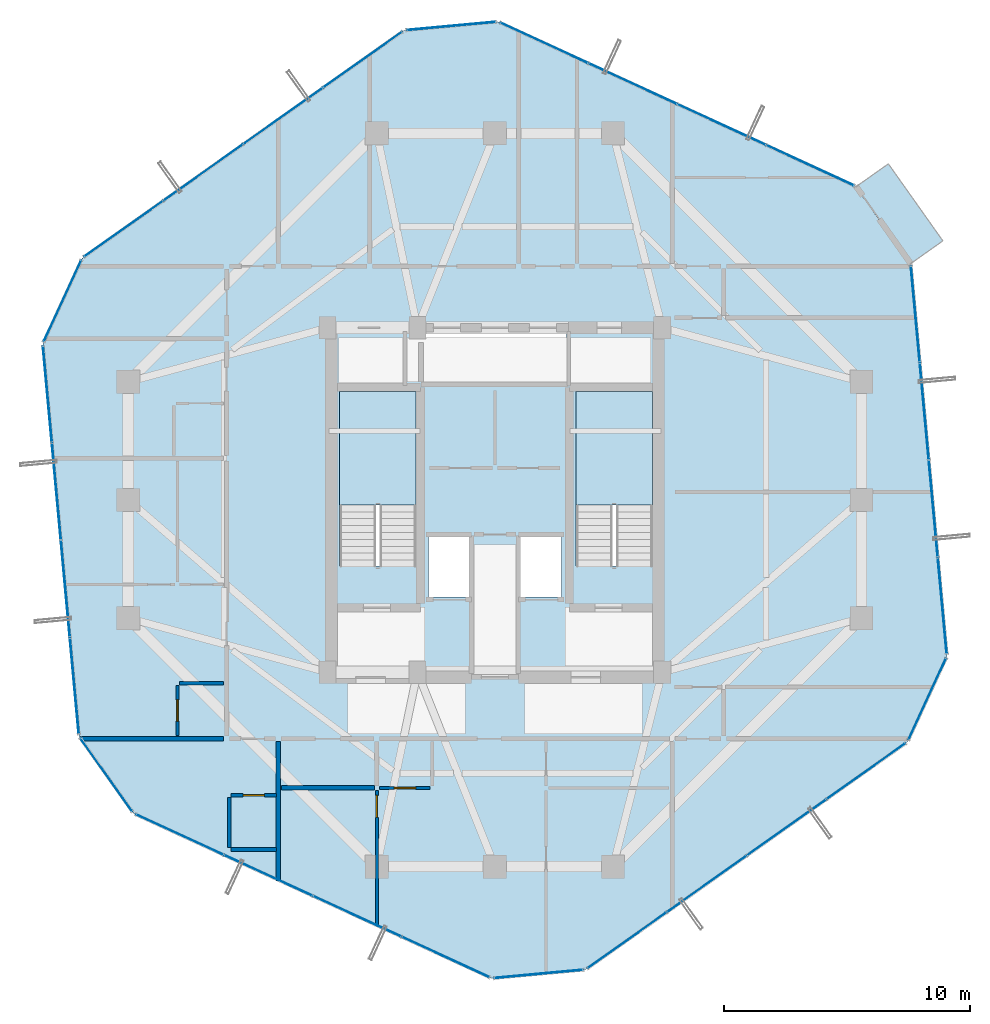
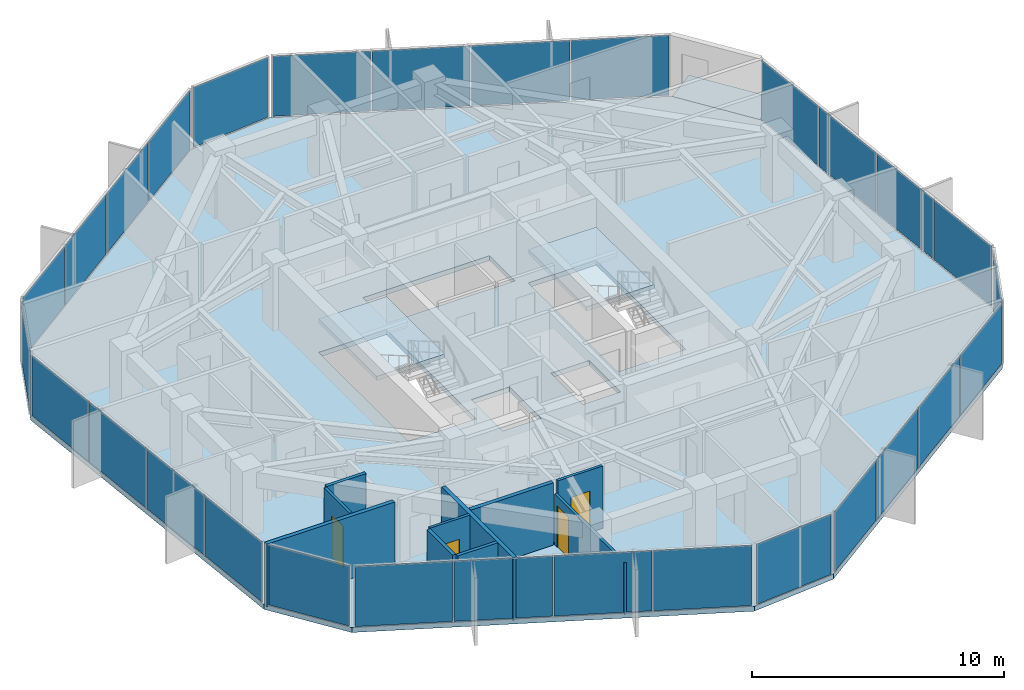
# One storey, part 27 of 32: 29 plates, 10 walls, 4 doors, 4 slabs, 4 openings, 13 elements without a shape of their own.
"""IFC4 building model written with IfcOpenShell, lengths in metres."""

from ifc_helpers import new_model, si_unit, direction, frame, frame_2d, origin, origin_2d, place, context, subcontext, project, spatial, polyline, rectangle, outline, extrude, source, transform, mapped, material, layer, layer_set, type_object, element, fill, aggregate, save


model = new_model("IFC4")

# Units and contexts
model_context = context("Model", 3, precision=1e-05, world=origin(), true_north=direction((0.0, 1.0)))
body_context = subcontext(model_context, "Body", "Model", "MODEL_VIEW")
ifc_project = project(units=[si_unit("LENGTHUNIT", "METRE"), si_unit("AREAUNIT", "SQUARE_METRE"), si_unit("VOLUMEUNIT", "CUBIC_METRE"), si_unit("PLANEANGLEUNIT", "RADIAN"), si_unit("MASSUNIT", "GRAM", prefix="KILO")], contexts=[model_context])

# Site, building, storey
site_placement = place(None, origin())
site = spatial("IfcSite", under=ifc_project, at=site_placement, CompositionType="ELEMENT")
building_placement = place(site_placement, origin())
building = spatial("IfcBuilding", under=site, at=building_placement, Name="Veraguas Prism Commons", CompositionType="ELEMENT")
storey_placement = place(building_placement, frame((0.0, 0.0, 188.60009765625)))
storey = spatial("IfcBuildingStorey", under=building, at=storey_placement, Name="L53", CompositionType="ELEMENT", Elevation=188.60009765625)

# Stair, slab
ifc_material_1 = material(Name="Precast concrete C45/55", Category="concrete")
stair_type = type_object("IfcStairType", Name="Dogleg Core Stair 1480W 20R 05", PredefinedType="HALF_TURN_STAIR", material=ifc_material_1)
stair_1_placement = place(storey_placement, origin())
stair_1 = element("IfcStair", 1, at=stair_1_placement, inside=storey, type_object=stair_type, Name="Protected Exit Stair ST-01 L53", PredefinedType="HALF_TURN_STAIR")
ifc_layer_1 = layer(ifc_material_1, 0.199951171875, Name="Precast Stair and Ramp Landing Slab 200", Category="concrete")
ifc_layer_set_1 = layer_set([ifc_layer_1], Name="Precast concrete C45/55")
slab_type_1 = type_object("IfcSlabType", Name="Precast Stair and Ramp Landing Slab 200", PredefinedType="LANDING", material=ifc_layer_set_1)
slab_1_placement = place(storey_placement, frame((0.0, 0.0, 1.4248046875)))
slab_1 = element("IfcSlab", 2, at=slab_1_placement, type_object=slab_type_1, Name="ST-05 Landing 1", PredefinedType="LANDING", context=body_context, shape_type="SweptSolid", body=[
    extrude(outline(polyline([(20.800048828125, 23.800048828125), (20.800048828125, 28.39990234375), (17.68994140625, 28.39990234375), (17.68994140625, 23.800048828125), (20.800048828125, 23.800048828125)])), origin(), (0.0, 0.0, 1.0), 0.2001953125),
])
aggregate(stair_1, [slab_1])

stair_2_placement = place(storey_placement, origin())
stair_2 = element("IfcStair", 3, at=stair_2_placement, inside=storey, type_object=stair_type, Name="Protected Exit Stair ST-02 L53", PredefinedType="HALF_TURN_STAIR")
slab_2_placement = place(storey_placement, frame((0.0, 0.0, 1.4248046875)))
slab_2 = element("IfcSlab", 4, at=slab_2_placement, type_object=slab_type_1, Name="ST-05 Landing 1", PredefinedType="LANDING", context=body_context, shape_type="SweptSolid", body=[
    extrude(outline(polyline([(30.39990234375, 23.800048828125), (30.39990234375, 28.39990234375), (27.2900390625, 28.39990234375), (27.2900390625, 23.800048828125), (30.39990234375, 23.800048828125)])), origin(), (0.0, 0.0, 1.0), 0.2001953125),
])
aggregate(stair_2, [slab_2])

# Slabs
ifc_material_2 = material(Name="Concrete C45/55", Category="concrete")
ifc_layer_2 = layer(ifc_material_2, 0.219970703125, Name="Recessed Loggia and Terrace Slab RC 220", Category="concrete")
ifc_layer_set_2 = layer_set([ifc_layer_2], Name="Concrete C45/55")
slab_type_2 = type_object("IfcSlabType", Name="Recessed Loggia and Terrace Slab RC 220", PredefinedType="FLOOR", material=ifc_layer_set_2)
slab_3_placement = place(storey_placement, frame((0.0, 0.0, -0.22021484375)))
element("IfcSlab", 5, at=slab_3_placement, inside=storey, type_object=slab_type_2, Name="Recessed Corner Loggia L53-C1", PredefinedType="FLOOR", context=body_context, shape_type="SweptSolid", body=[
    extrude(outline(polyline([(40.881591796875, 33.595458984375), (42.2041015625, 34.531005859375), (39.9892578125, 37.6611328125), (38.6669921875, 36.7255859375), (40.881591796875, 33.595458984375)])), origin(), (0.0, 0.0, 1.0), 0.22021484375),
])
ifc_layer_3 = layer(ifc_material_2, 0.235107421875, Name="Tower Upper Residential Floor Slab RC 235", Category="concrete")
ifc_layer_set_3 = layer_set([ifc_layer_3], Name="Concrete C45/55")
slab_type_3 = type_object("IfcSlabType", Name="Tower Upper Residential Floor Slab RC 235", PredefinedType="FLOOR", material=ifc_layer_set_3)
slab_4_placement = place(storey_placement, frame((0.0, 0.0, -0.235107421875)))
element("IfcSlab", 6, at=slab_4_placement, inside=storey, type_object=slab_type_3, Name="Tower Floor Slab L53", PredefinedType="FLOOR", context=body_context, shape_type="SweptSolid", body=[
    extrude(outline(polyline([(40.89794921875, 33.60693359375), (38.68310546875, 36.737060546875), (24.12890625, 43.4375), (20.310791015625, 43.084716796875), (7.231201171875, 33.83056640625), (5.627685546875, 30.347412109375), (7.10205078125, 14.39306640625), (9.31689453125, 11.262939453125), (23.87109375, 4.5625), (27.689208984375, 4.915283203125), (40.768798828125, 14.16943359375), (42.372314453125, 17.652587890625), (40.89794921875, 33.60693359375)]), holes=[polyline([(20.800048828125, 21.31005859375), (20.800048828125, 28.39990234375), (17.68994140625, 28.39990234375), (17.68994140625, 21.31005859375), (20.800048828125, 21.31005859375)]), polyline([(30.39990234375, 21.31005859375), (30.39990234375, 28.39990234375), (27.2900390625, 28.39990234375), (27.2900390625, 21.31005859375), (30.39990234375, 21.31005859375)]), polyline([(21.10009765625, 28.800048828125), (26.89990234375, 28.800048828125), (26.89990234375, 30.800048828125), (21.10009765625, 30.800048828125), (21.10009765625, 28.800048828125)]), polyline([(21.300048828125, 20.050048828125), (23.050048828125, 20.050048828125), (23.050048828125, 22.550048828125), (21.300048828125, 22.550048828125), (21.300048828125, 20.050048828125)]), polyline([(24.949951171875, 20.050048828125), (26.699951171875, 20.050048828125), (26.699951171875, 22.550048828125), (24.949951171875, 22.550048828125), (24.949951171875, 20.050048828125)])]), origin(), (0.0, 0.0, 1.0), 0.235107421875),
])

# Curtain wall, plates
ifc_material_3 = material(Name="Anodised aluminium EN AW-6063 T6", Category="aluminium")
ifc_layer_4 = layer(ifc_material_3, 0.14990234375, Name="Unitised Flush Curtain Wall Zone 3", Category="aluminium")
ifc_layer_set_4 = layer_set([ifc_layer_4], Name="Anodised aluminium EN AW-6063 T6")
curtain_wall_type = type_object("IfcCurtainWallType", Name="Unitised Flush Curtain Wall Zone 3", PredefinedType="NOTDEFINED", material=ifc_layer_set_4)
curtain_wall_1_placement = place(storey_placement, origin())
curtain_wall_1 = element("IfcCurtainWall", 7, at=curtain_wall_1_placement, inside=storey, type_object=curtain_wall_type, Name="Tower Facade Curtain Wall L53-F2", PredefinedType="NOTDEFINED")
ifc_material_4 = material(Name="Laminated low-e glass", Category="glass")
ifc_layer_5 = layer(ifc_material_4, 0.028076171875, Name="Unitised Double Low-E Glazed Panel 28", Category="glass")
ifc_layer_set_5 = layer_set([ifc_layer_5], Name="Laminated low-e glass")
plate_type = type_object("IfcPlateType", Name="Unitised Double Low-E Glazed Panel 28", PredefinedType="CURTAIN_PANEL", material=ifc_layer_set_5)
shared_shape_1 = source(origin(), body_context, "Body", "SweptSolid", [
    extrude(rectangle(XDim=3.885498046875, YDim=0.028076171875, at=origin_2d()), origin(), (0.0, 0.0, 1.0), 2.905029296875),
])
plate_1_placement = place(storey_placement, frame((18.626953125, 41.89306640625, 0.0546875), z_axis=(0.0, 0.0, 1.0), x_axis=(-0.816341266821, -0.577569853857, 0.0)))
plate_1 = element("IfcPlate", 8, at=plate_1_placement, type_object=plate_type, Name="CW-Z3 Panel 1.1", PredefinedType="CURTAIN_PANEL", context=body_context, shape_type="MappedRepresentation", body=[
    mapped(shared_shape_1, transform((0.0, 0.0, 0.0), scale=1.0)),
])
plate_2_placement = place(storey_placement, frame((8.9150390625, 35.02197265625, 0.0546875), z_axis=(0.0, 0.0, 1.0), x_axis=(-0.816341266821, -0.577569853857, 0.0)))
plate_2 = element("IfcPlate", 9, at=plate_2_placement, type_object=plate_type, Name="CW-Z3 Panel 4.1", PredefinedType="CURTAIN_PANEL", context=body_context, shape_type="MappedRepresentation", body=[
    mapped(shared_shape_1, transform((0.0, 0.0, 0.0), scale=1.0)),
])

curtain_wall_2_placement = place(storey_placement, origin())
curtain_wall_2 = element("IfcCurtainWall", 10, at=curtain_wall_2_placement, inside=storey, type_object=curtain_wall_type, Name="Tower Facade Curtain Wall L53-F5", PredefinedType="NOTDEFINED")
plate_3_placement = place(storey_placement, frame((29.373046875, 6.10693359375, 0.0546875), z_axis=(0.0, 0.0, 1.0), x_axis=(0.816341266821, 0.577569853857, 0.0)))
plate_3 = element("IfcPlate", 11, at=plate_3_placement, type_object=plate_type, Name="CW-Z3 Panel 1.1", PredefinedType="CURTAIN_PANEL", context=body_context, shape_type="MappedRepresentation", body=[
    mapped(shared_shape_1, transform((0.0, 0.0, 0.0), scale=1.0)),
])
plate_4_placement = place(storey_placement, frame((39.0849609375, 12.97802734375, 0.0546875), z_axis=(0.0, 0.0, 1.0), x_axis=(0.816341266821, 0.577569853857, 0.0)))
plate_4 = element("IfcPlate", 12, at=plate_4_placement, type_object=plate_type, Name="CW-Z3 Panel 4.1", PredefinedType="CURTAIN_PANEL", context=body_context, shape_type="MappedRepresentation", body=[
    mapped(shared_shape_1, transform((0.0, 0.0, 0.0), scale=1.0)),
])

curtain_wall_3_placement = place(storey_placement, origin())
curtain_wall_3 = element("IfcCurtainWall", 13, at=curtain_wall_3_placement, inside=storey, type_object=curtain_wall_type, Name="Tower Facade Curtain Wall L53-F1", PredefinedType="NOTDEFINED")
shared_shape_2 = source(origin(), body_context, "Body", "SweptSolid", [
    extrude(rectangle(XDim=3.91552734375, YDim=0.028076171875, at=origin_2d()), origin(), (0.0, 0.0, 1.0), 2.905029296875),
])
plate_5_placement = place(storey_placement, frame((33.211669921875, 39.256103515625, 0.0546875), z_axis=(0.0, 0.0, 1.0), x_axis=(-0.908361529184, 0.418185762907, 0.0)))
plate_5 = element("IfcPlate", 14, at=plate_5_placement, type_object=plate_type, Name="CW-Z3 Panel 2.1", PredefinedType="CURTAIN_PANEL", context=body_context, shape_type="MappedRepresentation", body=[
    mapped(shared_shape_2, transform((0.0, 0.0, 0.0), scale=1.0)),
])
plate_6_placement = place(storey_placement, frame((29.600341796875, 40.91845703125, 0.0546875), z_axis=(0.0, 0.0, 1.0), x_axis=(-0.908361529184, 0.418185762907, 0.0)))
plate_6 = element("IfcPlate", 15, at=plate_6_placement, type_object=plate_type, Name="CW-Z3 Panel 3.1", PredefinedType="CURTAIN_PANEL", context=body_context, shape_type="MappedRepresentation", body=[
    mapped(shared_shape_2, transform((0.0, 0.0, 0.0), scale=1.0)),
])

# Plate
plate_7_placement = place(storey_placement, frame((15.393798828125, 39.605712890625, 0.0546875), z_axis=(0.0, 0.0, 1.0), x_axis=(-0.816341266821, -0.577569853857, 0.0)))
plate_7 = element("IfcPlate", 16, at=plate_7_placement, type_object=plate_type, Name="CW-Z3 Panel 2.1", PredefinedType="CURTAIN_PANEL", context=body_context, shape_type="MappedRepresentation", body=[
    mapped(shared_shape_2, transform((0.0, 0.0, 0.0), scale=1.0)),
])

plate_8_placement = place(storey_placement, frame((12.1484375, 37.3095703125, 0.0546875), z_axis=(0.0, 0.0, 1.0), x_axis=(-0.816341266821, -0.577569853857, 0.0)))
plate_8 = element("IfcPlate", 17, at=plate_8_placement, type_object=plate_type, Name="CW-Z3 Panel 3.1", PredefinedType="CURTAIN_PANEL", context=body_context, shape_type="MappedRepresentation", body=[
    mapped(shared_shape_2, transform((0.0, 0.0, 0.0), scale=1.0)),
])

aggregate(curtain_wall_1, [plate_1, plate_7, plate_8, plate_2])

# Curtain wall, plates
curtain_wall_4_placement = place(storey_placement, origin())
curtain_wall_4 = element("IfcCurtainWall", 18, at=curtain_wall_4_placement, inside=storey, type_object=curtain_wall_type, Name="Tower Facade Curtain Wall L53-F3", PredefinedType="NOTDEFINED")
plate_9_placement = place(storey_placement, frame((6.181884765625, 24.349609375, 0.0546875), z_axis=(0.0, 0.0, 1.0), x_axis=(0.092023008338, -0.995756880939, 0.0)))
plate_9 = element("IfcPlate", 19, at=plate_9_placement, type_object=plate_type, Name="CW-Z3 Panel 2.1", PredefinedType="CURTAIN_PANEL", context=body_context, shape_type="MappedRepresentation", body=[
    mapped(shared_shape_2, transform((0.0, 0.0, 0.0), scale=1.0)),
])
plate_10_placement = place(storey_placement, frame((6.5478515625, 20.390869140625, 0.0546875), z_axis=(0.0, 0.0, 1.0), x_axis=(0.092023008338, -0.995756880939, 0.0)))
plate_10 = element("IfcPlate", 20, at=plate_10_placement, type_object=plate_type, Name="CW-Z3 Panel 3.1", PredefinedType="CURTAIN_PANEL", context=body_context, shape_type="MappedRepresentation", body=[
    mapped(shared_shape_2, transform((0.0, 0.0, 0.0), scale=1.0)),
])

curtain_wall_5_placement = place(storey_placement, origin())
curtain_wall_5 = element("IfcCurtainWall", 21, at=curtain_wall_5_placement, inside=storey, type_object=curtain_wall_type, Name="Tower Facade Curtain Wall L53-F4", PredefinedType="NOTDEFINED")
plate_11_placement = place(storey_placement, frame((14.788330078125, 8.743896484375, 0.0546875), z_axis=(0.0, 0.0, 1.0), x_axis=(0.908361529184, -0.418185762907, 0.0)))
plate_11 = element("IfcPlate", 22, at=plate_11_placement, type_object=plate_type, Name="CW-Z3 Panel 2.1", PredefinedType="CURTAIN_PANEL", context=body_context, shape_type="MappedRepresentation", body=[
    mapped(shared_shape_2, transform((0.0, 0.0, 0.0), scale=1.0)),
])
plate_12_placement = place(storey_placement, frame((18.399658203125, 7.08154296875, 0.0546875), z_axis=(0.0, 0.0, 1.0), x_axis=(0.908361529184, -0.418185762907, 0.0)))
plate_12 = element("IfcPlate", 23, at=plate_12_placement, type_object=plate_type, Name="CW-Z3 Panel 3.1", PredefinedType="CURTAIN_PANEL", context=body_context, shape_type="MappedRepresentation", body=[
    mapped(shared_shape_2, transform((0.0, 0.0, 0.0), scale=1.0)),
])

# Plate
plate_13_placement = place(storey_placement, frame((32.606201171875, 8.394287109375, 0.0546875), z_axis=(0.0, 0.0, 1.0), x_axis=(0.816341266821, 0.577569853857, 0.0)))
plate_13 = element("IfcPlate", 24, at=plate_13_placement, type_object=plate_type, Name="CW-Z3 Panel 2.1", PredefinedType="CURTAIN_PANEL", context=body_context, shape_type="MappedRepresentation", body=[
    mapped(shared_shape_2, transform((0.0, 0.0, 0.0), scale=1.0)),
])

plate_14_placement = place(storey_placement, frame((35.8515625, 10.6904296875, 0.0546875), z_axis=(0.0, 0.0, 1.0), x_axis=(0.816341266821, 0.577569853857, 0.0)))
plate_14 = element("IfcPlate", 25, at=plate_14_placement, type_object=plate_type, Name="CW-Z3 Panel 3.1", PredefinedType="CURTAIN_PANEL", context=body_context, shape_type="MappedRepresentation", body=[
    mapped(shared_shape_2, transform((0.0, 0.0, 0.0), scale=1.0)),
])

aggregate(curtain_wall_2, [plate_3, plate_13, plate_14, plate_4])

# Curtain wall, plates
curtain_wall_6_placement = place(storey_placement, origin())
curtain_wall_6 = element("IfcCurtainWall", 26, at=curtain_wall_6_placement, inside=storey, type_object=curtain_wall_type, Name="Tower Facade Curtain Wall L53-F6", PredefinedType="NOTDEFINED")
plate_15_placement = place(storey_placement, frame((41.818115234375, 23.650390625, 0.0546875), z_axis=(0.0, 0.0, 1.0), x_axis=(-0.092023008338, 0.995756880939, 0.0)))
plate_15 = element("IfcPlate", 27, at=plate_15_placement, type_object=plate_type, Name="CW-Z3 Panel 2.1", PredefinedType="CURTAIN_PANEL", context=body_context, shape_type="MappedRepresentation", body=[
    mapped(shared_shape_2, transform((0.0, 0.0, 0.0), scale=1.0)),
])
plate_16_placement = place(storey_placement, frame((41.4521484375, 27.609130859375, 0.0546875), z_axis=(0.0, 0.0, 1.0), x_axis=(-0.092023008338, 0.995756880939, 0.0)))
plate_16 = element("IfcPlate", 28, at=plate_16_placement, type_object=plate_type, Name="CW-Z3 Panel 3.1", PredefinedType="CURTAIN_PANEL", context=body_context, shape_type="MappedRepresentation", body=[
    mapped(shared_shape_2, transform((0.0, 0.0, 0.0), scale=1.0)),
])

# Plate
shared_shape_3 = source(origin(), body_context, "Body", "SweptSolid", [
    extrude(rectangle(XDim=3.8857421875, YDim=0.028076171875, at=origin_2d()), origin(), (0.0, 0.0, 1.0), 2.905029296875),
])
plate_17_placement = place(storey_placement, frame((36.809326171875, 37.599853515625, 0.0546875), z_axis=(0.0, 0.0, 1.0), x_axis=(-0.908361529184, 0.418185762907, 0.0)))
plate_17 = element("IfcPlate", 29, at=plate_17_placement, type_object=plate_type, Name="CW-Z3 Panel 1.1", PredefinedType="CURTAIN_PANEL", context=body_context, shape_type="MappedRepresentation", body=[
    mapped(shared_shape_3, transform((0.0, 0.0, 0.0), scale=1.0)),
])

plate_18_placement = place(storey_placement, frame((26.002685546875, 42.574951171875, 0.0546875), z_axis=(0.0, 0.0, 1.0), x_axis=(-0.908361529184, 0.418185762907, 0.0)))
plate_18 = element("IfcPlate", 30, at=plate_18_placement, type_object=plate_type, Name="CW-Z3 Panel 4.1", PredefinedType="CURTAIN_PANEL", context=body_context, shape_type="MappedRepresentation", body=[
    mapped(shared_shape_3, transform((0.0, 0.0, 0.0), scale=1.0)),
])

aggregate(curtain_wall_3, [plate_17, plate_5, plate_6, plate_18])

plate_19_placement = place(storey_placement, frame((5.817626953125, 28.29345703125, 0.0546875), z_axis=(0.0, 0.0, 1.0), x_axis=(0.092023008338, -0.995756880939, 0.0)))
plate_19 = element("IfcPlate", 31, at=plate_19_placement, type_object=plate_type, Name="CW-Z3 Panel 1.1", PredefinedType="CURTAIN_PANEL", context=body_context, shape_type="MappedRepresentation", body=[
    mapped(shared_shape_3, transform((0.0, 0.0, 0.0), scale=1.0)),
])

plate_20_placement = place(storey_placement, frame((6.912353515625, 16.447021484375, 0.0546875), z_axis=(0.0, 0.0, 1.0), x_axis=(0.092023008338, -0.995756880939, 0.0)))
plate_20 = element("IfcPlate", 32, at=plate_20_placement, type_object=plate_type, Name="CW-Z3 Panel 4.1", PredefinedType="CURTAIN_PANEL", context=body_context, shape_type="MappedRepresentation", body=[
    mapped(shared_shape_3, transform((0.0, 0.0, 0.0), scale=1.0)),
])

aggregate(curtain_wall_4, [plate_19, plate_9, plate_10, plate_20])

plate_21_placement = place(storey_placement, frame((11.190673828125, 10.400146484375, 0.0546875), z_axis=(0.0, 0.0, 1.0), x_axis=(0.908361529184, -0.418185762907, 0.0)))
plate_21 = element("IfcPlate", 33, at=plate_21_placement, type_object=plate_type, Name="CW-Z3 Panel 1.1", PredefinedType="CURTAIN_PANEL", context=body_context, shape_type="MappedRepresentation", body=[
    mapped(shared_shape_3, transform((0.0, 0.0, 0.0), scale=1.0)),
])

plate_22_placement = place(storey_placement, frame((21.997314453125, 5.425048828125, 0.0546875), z_axis=(0.0, 0.0, 1.0), x_axis=(0.908361529184, -0.418185762907, 0.0)))
plate_22 = element("IfcPlate", 34, at=plate_22_placement, type_object=plate_type, Name="CW-Z3 Panel 4.1", PredefinedType="CURTAIN_PANEL", context=body_context, shape_type="MappedRepresentation", body=[
    mapped(shared_shape_3, transform((0.0, 0.0, 0.0), scale=1.0)),
])

aggregate(curtain_wall_5, [plate_21, plate_11, plate_12, plate_22])

plate_23_placement = place(storey_placement, frame((42.182373046875, 19.70654296875, 0.0546875), z_axis=(0.0, 0.0, 1.0), x_axis=(-0.092023008338, 0.995756880939, 0.0)))
plate_23 = element("IfcPlate", 35, at=plate_23_placement, type_object=plate_type, Name="CW-Z3 Panel 1.1", PredefinedType="CURTAIN_PANEL", context=body_context, shape_type="MappedRepresentation", body=[
    mapped(shared_shape_3, transform((0.0, 0.0, 0.0), scale=1.0)),
])

plate_24_placement = place(storey_placement, frame((41.087646484375, 31.552978515625, 0.0546875), z_axis=(0.0, 0.0, 1.0), x_axis=(-0.092023008338, 0.995756880939, 0.0)))
plate_24 = element("IfcPlate", 36, at=plate_24_placement, type_object=plate_type, Name="CW-Z3 Panel 4.1", PredefinedType="CURTAIN_PANEL", context=body_context, shape_type="MappedRepresentation", body=[
    mapped(shared_shape_3, transform((0.0, 0.0, 0.0), scale=1.0)),
])

aggregate(curtain_wall_6, [plate_23, plate_15, plate_16, plate_24])

# Curtain wall, plate
curtain_wall_7_placement = place(storey_placement, origin())
curtain_wall_7 = element("IfcCurtainWall", 37, at=curtain_wall_7_placement, inside=storey, type_object=curtain_wall_type, Name="Chamfer Curtain Wall L53-C4", PredefinedType="NOTDEFINED")
shared_shape_4 = source(origin(), body_context, "Body", "SweptSolid", [
    extrude(rectangle(XDim=3.59423828125, YDim=0.028076171875, at=origin_2d()), origin(), (0.0, 0.0, 1.0), 2.905029296875),
])
plate_25_placement = place(storey_placement, frame((8.20947265625, 12.827880859375, 0.0546875), z_axis=(0.0, 0.0, 1.0), x_axis=(0.577579827304, -0.816334210413, 0.0)))
plate_25 = element("IfcPlate", 38, at=plate_25_placement, type_object=plate_type, Name="CW-Z3 Panel 1.1", PredefinedType="CURTAIN_PANEL", context=body_context, shape_type="MappedRepresentation", body=[
    mapped(shared_shape_4, transform((0.0, 0.0, 0.0), scale=1.0)),
])
aggregate(curtain_wall_7, [plate_25])

curtain_wall_8_placement = place(storey_placement, origin())
curtain_wall_8 = element("IfcCurtainWall", 39, at=curtain_wall_8_placement, inside=storey, type_object=curtain_wall_type, Name="Chamfer Curtain Wall L53-C2", PredefinedType="NOTDEFINED")
shared_shape_5 = source(origin(), body_context, "Body", "SweptSolid", [
    extrude(rectangle(XDim=3.594482421875, YDim=0.028076171875, at=origin_2d()), origin(), (0.0, 0.0, 1.0), 2.905029296875),
])
plate_26_placement = place(storey_placement, frame((22.219970703125, 43.260986328125, 0.0546875), z_axis=(0.0, 0.0, 1.0), x_axis=(-0.995754792746, -0.092045601321, 0.0)))
plate_26 = element("IfcPlate", 40, at=plate_26_placement, type_object=plate_type, Name="CW-Z3 Panel 1.1", PredefinedType="CURTAIN_PANEL", context=body_context, shape_type="MappedRepresentation", body=[
    mapped(shared_shape_5, transform((0.0, 0.0, 0.0), scale=1.0)),
])
aggregate(curtain_wall_8, [plate_26])

curtain_wall_9_placement = place(storey_placement, origin())
curtain_wall_9 = element("IfcCurtainWall", 41, at=curtain_wall_9_placement, inside=storey, type_object=curtain_wall_type, Name="Chamfer Curtain Wall L53-C3", PredefinedType="NOTDEFINED")
plate_27_placement = place(storey_placement, frame((6.429443359375, 32.089111328125, 0.0546875), z_axis=(0.0, 0.0, 1.0), x_axis=(-0.418185762907, -0.908361529184, 0.0)))
plate_27 = element("IfcPlate", 42, at=plate_27_placement, type_object=plate_type, Name="CW-Z3 Panel 1.1", PredefinedType="CURTAIN_PANEL", context=body_context, shape_type="MappedRepresentation", body=[
    mapped(shared_shape_5, transform((0.0, 0.0, 0.0), scale=1.0)),
])
aggregate(curtain_wall_9, [plate_27])

curtain_wall_10_placement = place(storey_placement, origin())
curtain_wall_10 = element("IfcCurtainWall", 43, at=curtain_wall_10_placement, inside=storey, type_object=curtain_wall_type, Name="Chamfer Curtain Wall L53-C5", PredefinedType="NOTDEFINED")
plate_28_placement = place(storey_placement, frame((25.780029296875, 4.739013671875, 0.0546875), z_axis=(0.0, 0.0, 1.0), x_axis=(0.995754792746, 0.092045601321, 0.0)))
plate_28 = element("IfcPlate", 44, at=plate_28_placement, type_object=plate_type, Name="CW-Z3 Panel 1.1", PredefinedType="CURTAIN_PANEL", context=body_context, shape_type="MappedRepresentation", body=[
    mapped(shared_shape_5, transform((0.0, 0.0, 0.0), scale=1.0)),
])
aggregate(curtain_wall_10, [plate_28])

curtain_wall_11_placement = place(storey_placement, origin())
curtain_wall_11 = element("IfcCurtainWall", 45, at=curtain_wall_11_placement, inside=storey, type_object=curtain_wall_type, Name="Chamfer Curtain Wall L53-C6", PredefinedType="NOTDEFINED")
plate_29_placement = place(storey_placement, frame((41.570556640625, 15.910888671875, 0.0546875), z_axis=(0.0, 0.0, 1.0), x_axis=(0.418185762907, 0.908361529184, 0.0)))
plate_29 = element("IfcPlate", 46, at=plate_29_placement, type_object=plate_type, Name="CW-Z3 Panel 1.1", PredefinedType="CURTAIN_PANEL", context=body_context, shape_type="MappedRepresentation", body=[
    mapped(shared_shape_5, transform((0.0, 0.0, 0.0), scale=1.0)),
])
aggregate(curtain_wall_11, [plate_29])

# Walls
ifc_material_5 = material(Name="Autoclaved aerated masonry block 10 MPa", Category="masonry")
ifc_layer_6 = layer(ifc_material_5, 0.179931640625, Name="Corridor and Inter-Tenancy Partition 180", Category="masonry")
ifc_layer_set_6 = layer_set([ifc_layer_6], Name="Autoclaved aerated masonry block 10 MPa")
wall_type_1 = type_object("IfcWallType", Name="Corridor and Inter-Tenancy Partition 180", PredefinedType="PARTITIONING", material=ifc_layer_set_6)
wall_1_placement = place(storey_placement, frame((15.199951171875, 14.179931640625, 0.0), z_axis=(0.0, 0.0, 1.0), x_axis=(0.0, -1.0, 0.0)))
element("IfcWall", 47, at=wall_1_placement, inside=storey, type_object=wall_type_1, Name="WL-L53-PT001", PredefinedType="PARTITIONING", context=body_context, shape_type="SweptSolid", body=[
    extrude(rectangle(XDim=5.658447265625, YDim=0.179931640625, at=frame_2d((2.8291015625, 0.0))), origin(), (0.0, 0.0, 1.0), 3.014892578125),
])
wall_2_placement = place(storey_placement, frame((15.320068359375, 12.300048828125, 0.0), z_axis=(0.0, 0.0, 1.0), x_axis=(1.0, 0.0, 0.0)))
element("IfcWall", 48, at=wall_2_placement, inside=storey, type_object=wall_type_1, Name="WL-L53-PT005", PredefinedType="PARTITIONING", context=body_context, shape_type="SweptSolid", body=[
    extrude(rectangle(XDim=3.780029296875, YDim=0.179931640625, at=frame_2d((1.89013671875, 0.0))), origin(), (0.0, 0.0, 1.0), 3.014892578125),
])
wall_3_placement = place(storey_placement, frame((12.97998046875, 14.300048828125, 0.0), z_axis=(0.0, 0.0, 1.0), x_axis=(-1.0, 0.0, 0.0)))
element("IfcWall", 49, at=wall_3_placement, inside=storey, type_object=wall_type_1, Name="WL-L53-PT022", PredefinedType="PARTITIONING", context=body_context, shape_type="SweptSolid", body=[
    extrude(rectangle(XDim=5.848876953125, YDim=0.179931640625, at=frame_2d((2.92431640625, 0.0))), origin(), (0.0, 0.0, 1.0), 3.014892578125),
])

# Wall, opening, door
ifc_material_6 = material(Name="Lightweight acoustic gypsum board")
ifc_layer_7 = layer(ifc_material_6, 0.125, Name="Internal Apartment Room Partition 125")
ifc_layer_set_7 = layer_set([ifc_layer_7], Name="Lightweight acoustic gypsum board")
wall_type_2 = type_object("IfcWallType", Name="Internal Apartment Room Partition 125", PredefinedType="PARTITIONING", material=ifc_layer_set_7)
wall_4_placement = place(storey_placement, frame((19.199951171875, 12.199951171875, 0.0), z_axis=(0.0, 0.0, 1.0), x_axis=(0.0, -1.0, 0.0)))
wall_4 = element("IfcWall", 50, at=wall_4_placement, inside=storey, type_object=wall_type_2, Name="WL-L53-PT007", PredefinedType="PARTITIONING", context=body_context, shape_type="SweptSolid", body=[
    extrude(rectangle(XDim=5.52001953125, YDim=0.125, at=frame_2d((2.760009765625, 0.0))), origin(), (0.0, 0.0, 1.0), 2.468994140625),
])
opening_1_placement = place(wall_4_placement, frame((0.199951171875, 0.0, 0.0)))
opening_1 = element("IfcOpeningElement", 51, at=opening_1_placement, cuts=wall_4, Name="Opening DR-02", PredefinedType="OPENING", context=body_context, shape_type="SweptSolid", body=[
    extrude(rectangle(XDim=0.89990234375, YDim=2.010009765625, at=frame_2d((0.449951171875, 1.0048828125))), frame((0.0, 0.072509765625, 0.0), z_axis=(0.0, -1.0, 0.0), x_axis=(1.0, 0.0, 0.0)), (0.0, 0.0, 1.0), 0.14501953125),
])
ifc_material_7 = material(Name="Timber solid core hardwood", Category="wood")
door_type_1 = type_object("IfcDoorType", Name="Internal Habitable Room Door 900x2010", OperationType="NOTDEFINED", PredefinedType="DOOR", material=ifc_material_7)
shared_shape_6 = source(origin(), body_context, "Body", "SweptSolid", [
    extrude(rectangle(XDim=0.89990234375, YDim=2.010009765625, at=frame_2d((0.449951171875, 1.0048828125))), frame((0.0, 0.02490234375, 0.0), z_axis=(0.0, -1.0, 0.0), x_axis=(1.0, 0.0, 0.0)), (0.0, 0.0, 1.0), 0.050048828125),
])
door_1_placement = place(opening_1_placement, origin())
door_1 = element("IfcDoor", 52, at=door_1_placement, inside=storey, type_object=door_type_1, Name="Flat 53A Bedroom 2 Door", OperationType="SINGLE_SWING_LEFT", OverallHeight=2.010009765625, OverallWidth=0.89990234375, PredefinedType="DOOR", context=body_context, shape_type="MappedRepresentation", body=[
    mapped(shared_shape_6, transform((0.0, 0.0, 0.0), scale=1.0)),
])
fill(opening_1, door_1)

wall_5_placement = place(storey_placement, frame((19.320068359375, 12.300048828125, 0.0), z_axis=(0.0, 0.0, 1.0), x_axis=(1.0, 0.0, 0.0)))
wall_5 = element("IfcWall", 53, at=wall_5_placement, inside=storey, type_object=wall_type_2, Name="WL-L53-PT009", PredefinedType="PARTITIONING", context=body_context, shape_type="SweptSolid", body=[
    extrude(rectangle(XDim=2.050048828125, YDim=0.125, at=frame_2d((1.02490234375, 0.0))), origin(), (0.0, 0.0, 1.0), 3.014892578125),
])
opening_2_placement = place(wall_5_placement, frame((0.594970703125, 0.0, 0.0)))
opening_2 = element("IfcOpeningElement", 54, at=opening_2_placement, cuts=wall_5, Name="Opening DR-03", PredefinedType="OPENING", context=body_context, shape_type="SweptSolid", body=[
    extrude(rectangle(XDim=0.860107421875, YDim=2.010009765625, at=frame_2d((0.43017578125, 1.0048828125))), frame((0.0, 0.072509765625, 0.0), z_axis=(0.0, -1.0, 0.0), x_axis=(1.0, 0.0, 0.0)), (0.0, 0.0, 1.0), 0.14501953125),
])
ifc_material_8 = material(Name="Timber moisture-resistant leaf", Category="wood")
door_type_2 = type_object("IfcDoorType", Name="Internal Bathroom Door 860x2010", OperationType="NOTDEFINED", PredefinedType="DOOR", material=ifc_material_8)
shared_shape_7 = source(origin(), body_context, "Body", "SweptSolid", [
    extrude(rectangle(XDim=0.860107421875, YDim=2.010009765625, at=frame_2d((0.43017578125, 1.0048828125))), frame((0.0, 0.02490234375, 0.0), z_axis=(0.0, -1.0, 0.0), x_axis=(1.0, 0.0, 0.0)), (0.0, 0.0, 1.0), 0.050048828125),
])
door_2_placement = place(opening_2_placement, origin())
door_2 = element("IfcDoor", 55, at=door_2_placement, inside=storey, type_object=door_type_2, Name="Flat 53A Bathroom Door", OperationType="SINGLE_SWING_RIGHT", OverallHeight=2.010009765625, OverallWidth=0.860107421875, PredefinedType="DOOR", context=body_context, shape_type="MappedRepresentation", body=[
    mapped(shared_shape_7, transform((0.0, 0.0, 0.0), scale=1.0)),
])
fill(opening_2, door_2)

wall_6_placement = place(storey_placement, frame((11.10009765625, 14.419921875, 0.0), z_axis=(0.0, 0.0, 1.0), x_axis=(0.0, 1.0, 0.0)))
wall_6 = element("IfcWall", 56, at=wall_6_placement, inside=storey, type_object=wall_type_2, Name="WL-L53-PT026", PredefinedType="PARTITIONING", context=body_context, shape_type="SweptSolid", body=[
    extrude(rectangle(XDim=2.050048828125, YDim=0.125, at=frame_2d((1.02490234375, 0.0))), origin(), (0.0, 0.0, 1.0), 3.014892578125),
])
opening_3_placement = place(wall_6_placement, frame((0.594970703125, 0.0, 0.0)))
opening_3 = element("IfcOpeningElement", 57, at=opening_3_placement, cuts=wall_6, Name="Opening DR-03", PredefinedType="OPENING", context=body_context, shape_type="SweptSolid", body=[
    extrude(rectangle(XDim=0.860107421875, YDim=2.010009765625, at=frame_2d((0.43017578125, 1.0048828125))), frame((0.0, 0.072509765625, 0.0), z_axis=(0.0, -1.0, 0.0), x_axis=(1.0, 0.0, 0.0)), (0.0, 0.0, 1.0), 0.14501953125),
])
door_3_placement = place(opening_3_placement, origin())
door_3 = element("IfcDoor", 58, at=door_3_placement, inside=storey, type_object=door_type_2, Name="Flat 53B Bathroom Door", OperationType="SINGLE_SWING_RIGHT", OverallHeight=2.010009765625, OverallWidth=0.860107421875, PredefinedType="DOOR", context=body_context, shape_type="MappedRepresentation", body=[
    mapped(shared_shape_7, transform((0.0, 0.0, 0.0), scale=1.0)),
])
fill(opening_3, door_3)

wall_7_placement = place(storey_placement, frame((13.280029296875, 12.0, 0.0), z_axis=(0.0, 0.0, 1.0), x_axis=(1.0, 0.0, 0.0)))
wall_7 = element("IfcWall", 59, at=wall_7_placement, inside=storey, type_object=wall_type_2, Name="WL-L53-PT044", PredefinedType="PARTITIONING", context=body_context, shape_type="SweptSolid", body=[
    extrude(rectangle(XDim=1.840087890625, YDim=0.125, at=frame_2d((0.919921875, 0.0))), origin(), (0.0, 0.0, 1.0), 3.014892578125),
])
opening_4_placement = place(wall_7_placement, frame((0.489990234375, 0.0, 0.0)))
opening_4 = element("IfcOpeningElement", 60, at=opening_4_placement, cuts=wall_7, Name="Opening DR-03", PredefinedType="OPENING", context=body_context, shape_type="SweptSolid", body=[
    extrude(rectangle(XDim=0.860107421875, YDim=2.010009765625, at=frame_2d((0.43017578125, 1.0048828125))), frame((0.0, 0.072509765625, 0.0), z_axis=(0.0, -1.0, 0.0), x_axis=(1.0, 0.0, 0.0)), (0.0, 0.0, 1.0), 0.14501953125),
])
door_4_placement = place(opening_4_placement, origin())
door_4 = element("IfcDoor", 61, at=door_4_placement, inside=storey, type_object=door_type_2, Name="Studio 53D Bathroom Door", OperationType="SINGLE_SWING_LEFT", OverallHeight=2.010009765625, OverallWidth=0.860107421875, PredefinedType="DOOR", context=body_context, shape_type="MappedRepresentation", body=[
    mapped(shared_shape_7, transform((0.0, 0.0, 0.0), scale=1.0)),
])
fill(opening_4, door_4)

# Walls
ifc_layer_8 = layer(ifc_material_6, 0.14990234375, Name="Wet Room and Clinic Acoustic Partition 150")
ifc_layer_set_8 = layer_set([ifc_layer_8], Name="Lightweight acoustic gypsum board")
wall_type_3 = type_object("IfcWallType", Name="Wet Room and Clinic Acoustic Partition 150", PredefinedType="PARTITIONING", material=ifc_layer_set_8)
wall_8_placement = place(storey_placement, frame((12.97998046875, 16.550048828125, 0.0), z_axis=(0.0, 0.0, 1.0), x_axis=(-1.0, 0.0, 0.0)))
element("IfcWall", 62, at=wall_8_placement, inside=storey, type_object=wall_type_3, Name="WL-L53-PT025", PredefinedType="PARTITIONING", context=body_context, shape_type="SweptSolid", body=[
    extrude(rectangle(XDim=1.800048828125, YDim=0.14990234375, at=frame_2d((0.89990234375, 0.0))), origin(), (0.0, 0.0, 1.0), 3.014892578125),
])
wall_9_placement = place(storey_placement, frame((13.280029296875, 9.800048828125, 0.0), z_axis=(0.0, 0.0, 1.0), x_axis=(1.0, 0.0, 0.0)))
element("IfcWall", 63, at=wall_9_placement, inside=storey, type_object=wall_type_3, Name="WL-L53-PT045", PredefinedType="PARTITIONING", context=body_context, shape_type="SweptSolid", body=[
    extrude(rectangle(XDim=1.840087890625, YDim=0.14990234375, at=frame_2d((0.919921875, 0.0))), origin(), (0.0, 0.0, 1.0), 3.014892578125),
])
wall_10_placement = place(storey_placement, frame((13.199951171875, 9.8798828125, 0.0), z_axis=(0.0, 0.0, 1.0), x_axis=(0.0, 1.0, 0.0)))
element("IfcWall", 64, at=wall_10_placement, inside=storey, type_object=wall_type_3, Name="WL-L53-PT046", PredefinedType="PARTITIONING", context=body_context, shape_type="SweptSolid", body=[
    extrude(rectangle(XDim=2.0400390625, YDim=0.14990234375, at=frame_2d((1.02001953125, 0.0))), origin(), (0.0, 0.0, 1.0), 3.014892578125),
])

save(model, "model.ifc")
